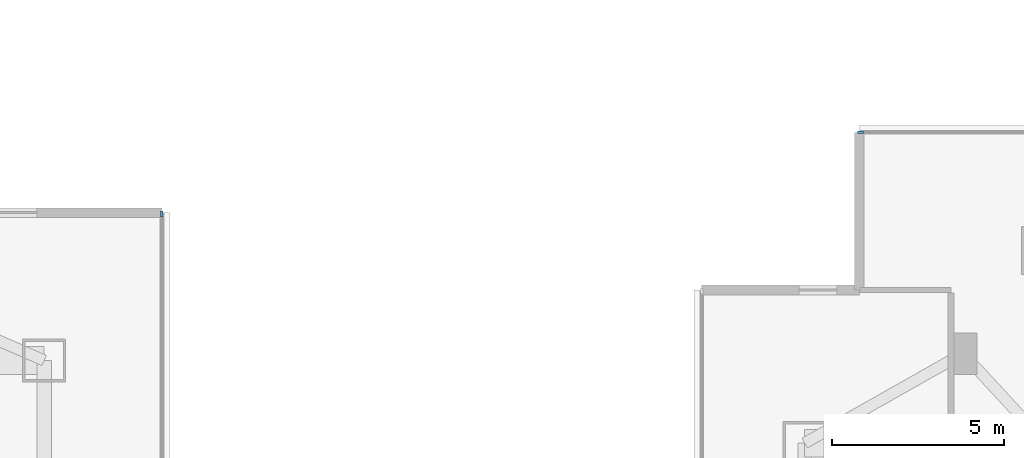
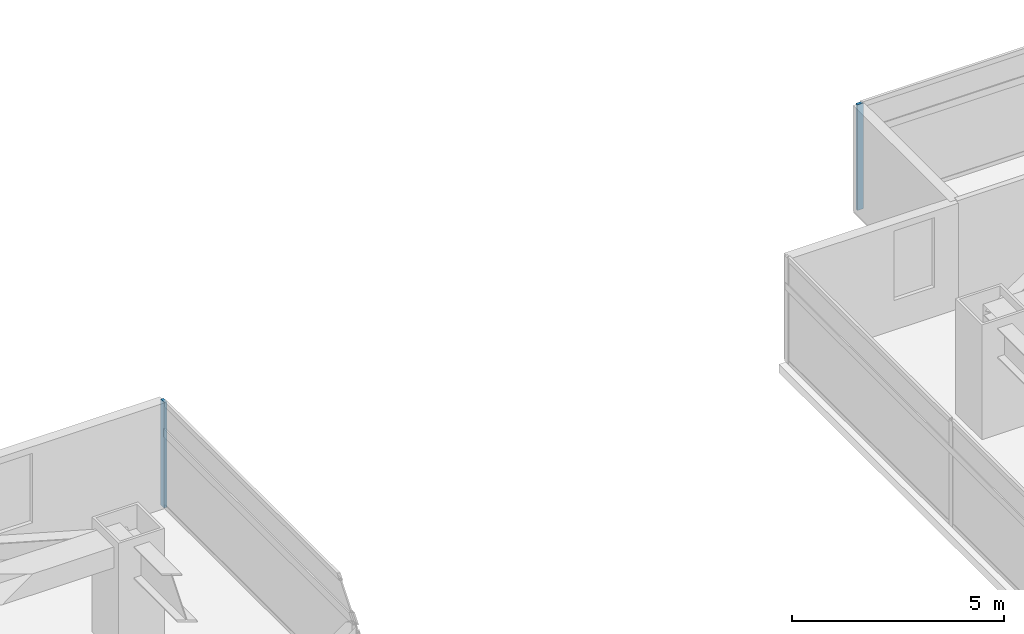
# One storey, part 8 of 25: 2 members, 2 elements without a shape of their own.
"""IFC4 building model written with IfcOpenShell, lengths in metres."""

from ifc_helpers import new_model, si_unit, direction, frame, origin, origin_2d, place, context, subcontext, project, spatial, rectangle, extrude, material, material_profile, profile_set, type_object, element, aggregate, save


model = new_model("IFC4")

# Units and contexts
model_context = context("Model", 3, precision=1e-05, world=origin(), true_north=direction((0.0, 1.0)))
body_context = subcontext(model_context, "Body", "Model", "MODEL_VIEW")
ifc_project = project(units=[si_unit("LENGTHUNIT", "METRE"), si_unit("AREAUNIT", "SQUARE_METRE"), si_unit("VOLUMEUNIT", "CUBIC_METRE"), si_unit("PLANEANGLEUNIT", "RADIAN"), si_unit("MASSUNIT", "GRAM", prefix="KILO")], contexts=[model_context])

# Site, building, storey
site_placement = place(None, origin())
site = spatial("IfcSite", under=ifc_project, at=site_placement, CompositionType="ELEMENT")
building_placement = place(site_placement, origin())
building = spatial("IfcBuilding", under=site, at=building_placement, Name="Mirazonda Arch Towers", CompositionType="ELEMENT")
storey_placement = place(building_placement, frame((0.0, 0.0, 32.300048828125)))
storey = spatial("IfcBuildingStorey", under=building, at=storey_placement, Name="L08", CompositionType="ELEMENT", Elevation=32.300048828125)

# Curtain wall, member
ifc_material_1 = material(Name="Anodised Aluminium and Low-E Glass", Category="aluminium")
curtain_wall_type = type_object("IfcCurtainWallType", Name="CW-HTL-UNIT", PredefinedType="NOTDEFINED", material=ifc_material_1)
curtain_wall_1_placement = place(storey_placement, origin())
curtain_wall_1 = element("IfcCurtainWall", 1, at=curtain_wall_1_placement, inside=storey, type_object=curtain_wall_type, Name="L08 T1 E Facade CW-L08-T1-E", PredefinedType="NOTDEFINED")
ifc_material_2 = material(Name="Anodised Aluminium Alloy", Category="aluminium")
ifc_material_profile = material_profile(ifc_material_2, rectangle(XDim=0.074951171875, YDim=0.1650390625, at=origin_2d()), Name="ALU-MULL-75x165")
ifc_profile_set = profile_set([ifc_material_profile], Name="Anodised Aluminium Alloy")
member_type = type_object("IfcMemberType", Name="MULL-CW-HTL-UNIT", PredefinedType="MULLION", material=ifc_profile_set)
member_1_placement = place(storey_placement, frame((42.320068359375, 41.8564453125, 0.0), z_axis=(0.0, 0.0, 1.0), x_axis=(-1.0, 0.0, 0.0)))
member_1 = element("IfcMember", 2, at=member_1_placement, type_object=member_type, Name="CW-112 mullion 4", PredefinedType="MULLION", context=body_context, shape_type="SweptSolid", body=[
    extrude(rectangle(XDim=0.074951171875, YDim=0.1650390625, at=origin_2d()), origin(), (0.0, 0.0, 1.0), 3.0400390625),
])
aggregate(curtain_wall_1, [member_1])

curtain_wall_2_placement = place(storey_placement, origin())
curtain_wall_2 = element("IfcCurtainWall", 3, at=curtain_wall_2_placement, inside=storey, type_object=curtain_wall_type, Name="L08 T2 N Facade CW-L08-T2-N", PredefinedType="NOTDEFINED")
member_2_placement = place(storey_placement, frame((62.62353515625, 44.22998046875, 0.0), z_axis=(0.0, 0.0, 1.0), x_axis=(0.0, 1.0, 0.0)))
member_2 = element("IfcMember", 4, at=member_2_placement, type_object=member_type, Name="CW-112 mullion 1", PredefinedType="MULLION", context=body_context, shape_type="SweptSolid", body=[
    extrude(rectangle(XDim=0.074951171875, YDim=0.1650390625, at=origin_2d()), origin(), (0.0, 0.0, 1.0), 3.0400390625),
])
aggregate(curtain_wall_2, [member_2])

save(model, "model.ifc")
